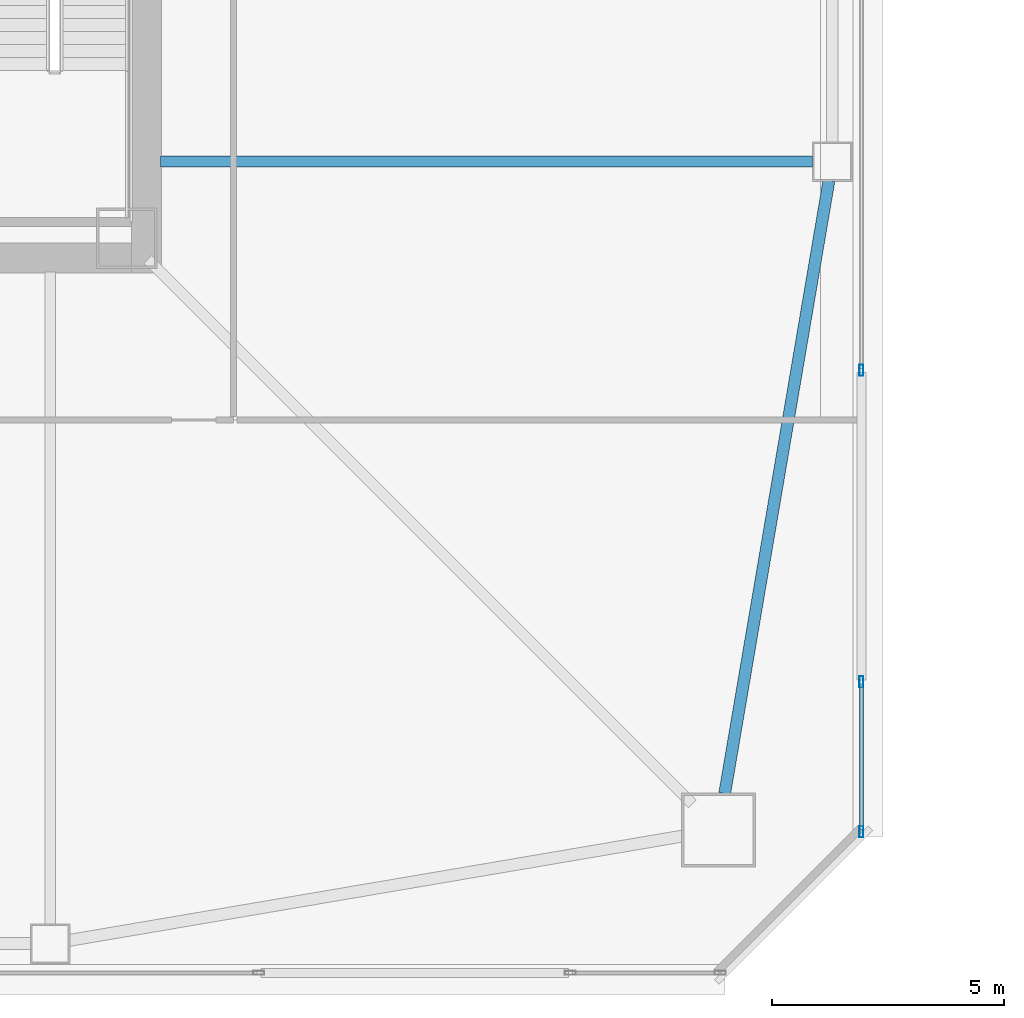
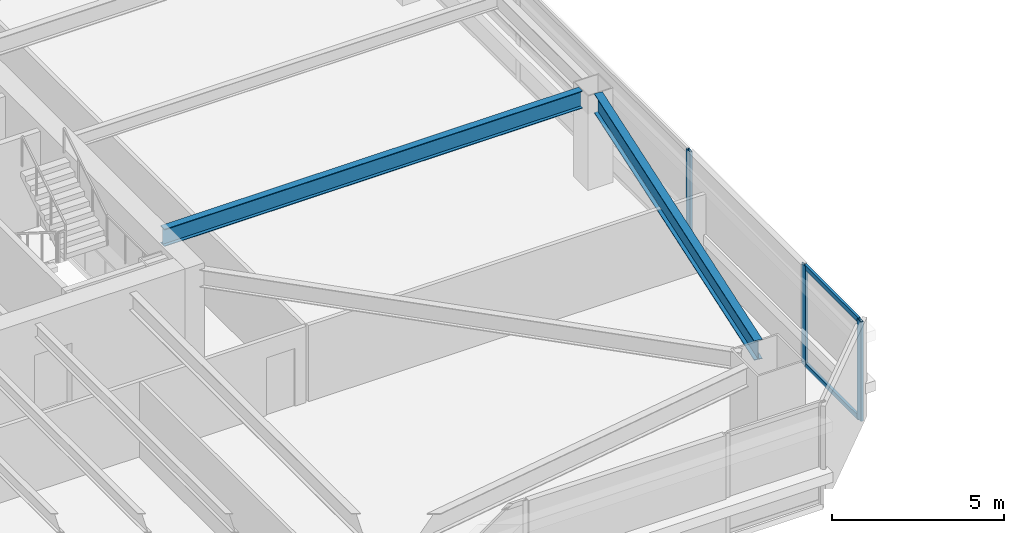
# One storey, part 10 of 48: 5 members, 2 beams, 2 elements without a shape of their own.
"""IFC4 building model written with IfcOpenShell, lengths in metres."""

import ifcopenshell
import ifcopenshell.guid

model = None  # the IFC model being written
_history = None  # IfcOwnerHistory: only IFC2X3 demands one
_inside = {}  # id of a spatial element -> (the spatial element, [elements in it])
_under = {}  # id of a project, library or spatial element -> (it, [spatial elements below it])
_declared = {}  # id of a project -> (the project, [libraries it declares])
_typed = {}  # id of a type object -> (the type object, [elements of that type])
_made_of = {}  # id of a material, layer set ... -> (it, [elements and type objects made of it])


def new_model(schema):
    """Start an empty IFC model of exactly this schema.

    Asked for "IFC4X3", IfcOpenShell would pick the latest addendum, in which some entities
    have other attributes; the version numbers below select the first issue.
    IFC2X3 requires an IfcOwnerHistory on every rooted entity: one is made here for all.
    """
    global model, _history
    if schema == "IFC4X3":
        model = ifcopenshell.file(schema_version=(4, 3, 0, 0))
    else:
        model = ifcopenshell.file(schema=schema)
    _inside.clear()
    _under.clear()
    _declared.clear()
    _typed.clear()
    _made_of.clear()
    _history = None
    if model.schema == "IFC2X3":
        org = make("IfcOrganization", Name="unknown")
        user = make(
            "IfcPersonAndOrganization",
            ThePerson=make("IfcPerson", FamilyName="unknown"),
            TheOrganization=org,
        )
        app = make(
            "IfcApplication",
            ApplicationDeveloper=org,
            Version="unknown",
            ApplicationFullName="unknown",
            ApplicationIdentifier="unknown",
        )
        _history = make(
            "IfcOwnerHistory",
            OwningUser=user,
            OwningApplication=app,
            ChangeAction="ADDED",
            CreationDate=0,
        )
    return model


def make(cls, **values):
    """One entity of the class cls with the attributes given. An attribute that is None is left unset."""
    return model.create_entity(
        cls, **{name: value for name, value in values.items() if value is not None}
    )


def rooted(cls, **values):
    """An entity with a GlobalId (a new one), such as an element, a storey or a relation."""
    return make(cls, GlobalId=ifcopenshell.guid.new(), OwnerHistory=_history, **values)


def si_unit(unit_type, name, prefix=None):
    """IfcSIUnit, for example si_unit("LENGTHUNIT", "METRE", prefix="MILLI")."""
    return make("IfcSIUnit", UnitType=unit_type, Prefix=prefix, Name=name)


def assignment(units):
    """IfcUnitAssignment: the units of a project."""
    return None if units is None else make("IfcUnitAssignment", Units=units)


def point(xyz):
    """IfcCartesianPoint."""
    return None if xyz is None else make("IfcCartesianPoint", Coordinates=xyz)


def direction(xyz):
    """IfcDirection."""
    return None if xyz is None else make("IfcDirection", DirectionRatios=xyz)


def frame(location, z_axis=None, x_axis=None):
    """IfcAxis2Placement3D, a coordinate frame: its origin and axes. An axis left out is left unset."""
    return make(
        "IfcAxis2Placement3D",
        Location=point(location),
        Axis=direction(z_axis),
        RefDirection=direction(x_axis),
    )


def frame_2d(location, x_axis=None):
    """IfcAxis2Placement2D, a coordinate frame in the plane: its origin and x axis."""
    return make(
        "IfcAxis2Placement2D", Location=point(location), RefDirection=direction(x_axis)
    )


def origin():
    """The frame at (0, 0, 0) with its axes left unset."""
    return frame((0.0, 0.0, 0.0))


def origin_2d():
    """The frame at (0, 0) in the plane with its x axis left unset."""
    return frame_2d((0.0, 0.0))


def place(relative_to, where):
    """IfcLocalPlacement: puts the frame where relative to a parent placement (None: the world)."""
    return make(
        "IfcLocalPlacement", PlacementRelTo=relative_to, RelativePlacement=where
    )


def context(
    kind, dimensions, precision=None, world=None, true_north=None, identifier=None
):
    """IfcGeometricRepresentationContext, for example the 3D "Model" context."""
    return make(
        "IfcGeometricRepresentationContext",
        ContextIdentifier=identifier,
        ContextType=kind,
        CoordinateSpaceDimension=dimensions,
        Precision=precision,
        WorldCoordinateSystem=world,
        TrueNorth=true_north,
    )


def subcontext(parent, identifier, kind, view, scale=None):
    """IfcGeometricRepresentationSubContext, for example "Body" below "Model"."""
    return make(
        "IfcGeometricRepresentationSubContext",
        ContextIdentifier=identifier,
        ContextType=kind,
        ParentContext=parent,
        TargetScale=scale,
        TargetView=view,
    )


def project(units=None, contexts=None):
    """IfcProject with its units and contexts."""
    return rooted(
        "IfcProject",
        Name="project",
        RepresentationContexts=contexts,
        UnitsInContext=assignment(units),
    )


def spatial(cls, under=None, at=None, **own):
    """A site, building, storey or space (cls), placed at a placement, below another one or the project."""
    s = rooted(cls, ObjectPlacement=at, **own)
    if under is not None:
        _under.setdefault(under.id(), (under, []))[1].append(s)
    return s


def profile(cls, at=None, kind="AREA", **sizes):
    """A parametric profile (cls). Its sizes go by their IFC names, for example OverallWidth=200.0."""
    return make(cls, ProfileType=kind, Position=at, **sizes)


def hollow_rectangle(**sizes):
    """IfcRectangleHollowProfileDef."""
    return profile("IfcRectangleHollowProfileDef", **sizes)


def i_section(**sizes):
    """IfcIShapeProfileDef."""
    return profile("IfcIShapeProfileDef", **sizes)


def extrude(swept, where, along, depth):
    """IfcExtrudedAreaSolid: the profile swept, set in the frame where, extruded along a direction by depth."""
    return make(
        "IfcExtrudedAreaSolid",
        SweptArea=swept,
        Position=where,
        ExtrudedDirection=direction(along),
        Depth=depth,
    )


def shape(context_of_items, identifier, shape_type, items):
    """IfcShapeRepresentation: the items that make up one representation, for example the "Body"."""
    return make(
        "IfcShapeRepresentation",
        ContextOfItems=context_of_items,
        RepresentationIdentifier=identifier,
        RepresentationType=shape_type,
        Items=items,
    )


def material(Name=None, Category=None):
    """IfcMaterial."""
    return make("IfcMaterial", Name=Name, Category=Category)


def material_profile(
    of_material, cross_section, Name=None, Category=None, Priority=None
):
    """IfcMaterialProfile: a cross section and its material."""
    return make(
        "IfcMaterialProfile",
        Name=Name,
        Material=of_material,
        Profile=cross_section,
        Priority=Priority,
        Category=Category,
    )


def profile_set(profiles, Name=None, composite=None):
    """IfcMaterialProfileSet."""
    return make(
        "IfcMaterialProfileSet",
        Name=Name,
        MaterialProfiles=profiles,
        CompositeProfile=composite,
    )


def made_of(thing, what):
    """Note that an element or type object is made of a material, layer set ...; save() writes the relation."""
    if what is not None:
        _made_of.setdefault(what.id(), (what, []))[1].append(thing)
    return thing


def type_object(cls, material=None, **own):
    """A type object (cls), such as IfcWallType, which elements share."""
    return made_of(rooted(cls, **own), material)


def element(
    cls,
    number,
    at=None,
    inside=None,
    cuts=None,
    type_object=None,
    material=None,
    context=None,
    identifier="Body",
    shape_type=None,
    held_by="IfcProductDefinitionShape",
    body=None,
    shapes=None,
    **own,
):
    """One element of the class cls, such as IfcWall. Its Tag is "e" and its number.

    at: its placement. inside: the storey or other place that contains it. cuts: it is an
    opening in that element (IfcRelVoidsElement). A single representation is given by context,
    identifier, shape_type and body (its items); several are given by shapes. held_by: the class
    of the entity that holds the representations. save() writes the other relations.
    """
    e = rooted(cls, Tag="e%d" % number, ObjectPlacement=at, **own)
    if body is not None:
        shapes = [shape(context, identifier, shape_type, body)]
    if shapes is not None:
        e.Representation = make(held_by, Representations=shapes)
    if inside is not None:
        _inside.setdefault(inside.id(), (inside, []))[1].append(e)
    if cuts is not None:
        rooted(
            "IfcRelVoidsElement", RelatingBuildingElement=cuts, RelatedOpeningElement=e
        )
    if type_object is not None:
        _typed.setdefault(type_object.id(), (type_object, []))[1].append(e)
    return made_of(e, material)


def aggregate(whole, parts):
    """IfcRelAggregates: a whole, such as a stair, and the parts it consists of."""
    return rooted("IfcRelAggregates", RelatingObject=whole, RelatedObjects=parts)


def save(model, path):
    """Write the relations noted so far, then the file.

    IfcRelAggregates (storeys below a building ...), IfcRelContainedInSpatialStructure (elements
    in a storey), IfcRelDefinesByType, IfcRelAssociatesMaterial and IfcRelDeclares: one each for
    every whole, place, type object, material and project.
    """
    for whole, parts in _under.values():
        aggregate(whole, parts)
    for where, things in _inside.values():
        rooted(
            "IfcRelContainedInSpatialStructure",
            RelatedElements=things,
            RelatingStructure=where,
        )
    for kind, things in _typed.values():
        rooted("IfcRelDefinesByType", RelatedObjects=things, RelatingType=kind)
    for what, things in _made_of.values():
        rooted("IfcRelAssociatesMaterial", RelatedObjects=things, RelatingMaterial=what)
    for by, libraries in _declared.values():
        rooted("IfcRelDeclares", RelatingContext=by, RelatedDefinitions=libraries)
    model.write(path)


model = new_model("IFC4")

# Units and contexts
model_context = context("Model", 3, precision=1e-05, world=origin(), true_north=direction((0.0, 1.0)))
body_context = subcontext(model_context, "Body", "Model", "MODEL_VIEW")
ifc_project = project(units=[si_unit("LENGTHUNIT", "METRE"), si_unit("AREAUNIT", "SQUARE_METRE"), si_unit("VOLUMEUNIT", "CUBIC_METRE"), si_unit("PLANEANGLEUNIT", "RADIAN"), si_unit("MASSUNIT", "GRAM", prefix="KILO")], contexts=[model_context])

# Site, building, storey
site_placement = place(None, origin())
site = spatial("IfcSite", under=ifc_project, at=site_placement, CompositionType="ELEMENT")
building_placement = place(site_placement, origin())
building = spatial("IfcBuilding", under=site, at=building_placement, Name="Tashvorn Skyway Center", CompositionType="ELEMENT")
storey_placement = place(building_placement, frame((0.0, 0.0, 53.0)))
storey = spatial("IfcBuildingStorey", under=building, at=storey_placement, Name="L13", CompositionType="ELEMENT", Elevation=53.0)

# Beams
ifc_material_1 = material(Name="Steel ASTM A992 Grade 50", Category="steel")
ifc_material_profile_1 = material_profile(ifc_material_1, i_section(OverallWidth=0.22998046875, OverallDepth=0.616943359375, WebThickness=0.01318359375, FlangeThickness=0.022216796875, at=origin_2d()), Name="W24X94")
ifc_profile_set_1 = profile_set([ifc_material_profile_1], Name="Steel ASTM A992 Grade 50")
beam_type_1 = type_object("IfcBeamType", Name="BM-BEAM-W24X94", PredefinedType="BEAM", material=ifc_profile_set_1)
beam_1_placement = place(storey_placement, frame((63.830078125, 26.60009765625, 3.04150390625), z_axis=(-1.0, 0.0, 0.0), x_axis=(0.0, -1.0, 0.0)))
element("IfcBeam", 1, at=beam_1_placement, inside=storey, type_object=beam_type_1, Name="Tower 1 L13 Primary Floor Girder FC-E1", PredefinedType="BEAM", context=body_context, shape_type="SweptSolid", body=[
    extrude(i_section(OverallWidth=0.22998046875, OverallDepth=0.616943359375, WebThickness=0.01318359375, FlangeThickness=0.022216796875, at=origin_2d()), origin(), (0.0, 0.0, 1.0), 14.050048828125),
])
ifc_material_profile_2 = material_profile(ifc_material_1, i_section(OverallWidth=0.256103515625, OverallDepth=0.693115234375, WebThickness=0.014404296875, FlangeThickness=0.023681640625, at=origin_2d()), Name="W27X114")
ifc_profile_set_2 = profile_set([ifc_material_profile_2], Name="Steel ASTM A992 Grade 50")
beam_type_2 = type_object("IfcBeamType", Name="BM-SPANDREL-W27X114", PredefinedType="SPANDREL", material=ifc_profile_set_2)
beam_2_placement = place(storey_placement, frame((61.933349609375, 12.983642578125, 3.00341796875), z_axis=(0.16771792509, 0.985835025551, 0.0), x_axis=(-0.985835025551, 0.16771792509, 0.0)))
element("IfcBeam", 2, at=beam_2_placement, inside=storey, type_object=beam_type_2, Name="Tower 1 L13 Spandrel Beam 04", PredefinedType="SPANDREL", context=body_context, shape_type="SweptSolid", body=[
    extrude(i_section(OverallWidth=0.256103515625, OverallDepth=0.693115234375, WebThickness=0.014404296875, FlangeThickness=0.023681640625, at=origin_2d()), origin(), (0.0, 0.0, 1.0), 13.39208984375),
])

# Curtain wall, member
ifc_material_2 = material(Name="Thermally broken bronze-anodized aluminium 6063-T6", Category="aluminium")
curtain_wall_type = type_object("IfcCurtainWallType", Name="CW-CW-Z1", PredefinedType="NOTDEFINED", material=ifc_material_2)
curtain_wall_1_placement = place(storey_placement, origin())
curtain_wall_1 = element("IfcCurtainWall", 3, at=curtain_wall_1_placement, inside=storey, type_object=curtain_wall_type, Name="Tower 1 L13 East Unitised Curtain Wall Glazing Group 2", PredefinedType="NOTDEFINED")
ifc_material_profile_3 = material_profile(ifc_material_2, hollow_rectangle(XDim=0.0849609375, YDim=0.239990234375, WallThickness=0.0048828125, at=origin_2d()), Name="ALU-MULL-85x240")
ifc_profile_set_3 = profile_set([ifc_material_profile_3], Name="Thermally broken bronze-anodized aluminium 6063-T6")
member_type_1 = type_object("IfcMemberType", Name="CWM-CW-Z1", PredefinedType="MULLION", material=ifc_profile_set_3)
member_1_placement = place(storey_placement, frame((64.8798828125, 22.1025390625, 0.0), z_axis=(0.0, 0.0, 1.0), x_axis=(1.0, 0.0, 0.0)))
member_1 = element("IfcMember", 4, at=member_1_placement, type_object=member_type_1, Name="CW-Z1 mullion 3", PredefinedType="MULLION", context=body_context, shape_type="SweptSolid", body=[
    extrude(hollow_rectangle(XDim=0.0849609375, YDim=0.239990234375, WallThickness=0.0048828125, at=origin_2d()), origin(), (0.0, 0.0, 1.0), 3.550048828125),
])
aggregate(curtain_wall_1, [member_1])

# Curtain wall, members
curtain_wall_2_placement = place(storey_placement, origin())
curtain_wall_2 = element("IfcCurtainWall", 5, at=curtain_wall_2_placement, inside=storey, type_object=curtain_wall_type, Name="Tower 1 L13 East Unitised Curtain Wall Glazing Group 3", PredefinedType="NOTDEFINED")
member_2_placement = place(storey_placement, frame((64.8798828125, 15.390869140625, 0.0), z_axis=(0.0, 0.0, 1.0), x_axis=(1.0, 0.0, 0.0)))
member_2 = element("IfcMember", 6, at=member_2_placement, type_object=member_type_1, Name="CW-Z1 mullion 1", PredefinedType="MULLION", context=body_context, shape_type="SweptSolid", body=[
    extrude(hollow_rectangle(XDim=0.0849609375, YDim=0.239990234375, WallThickness=0.0048828125, at=origin_2d()), origin(), (0.0, 0.0, 1.0), 3.550048828125),
])
member_3_placement = place(storey_placement, frame((64.8798828125, 12.16259765625, 0.0), z_axis=(0.0, 0.0, 1.0), x_axis=(1.0, 0.0, 0.0)))
member_3 = element("IfcMember", 7, at=member_3_placement, type_object=member_type_1, Name="CW-Z1 mullion 2", PredefinedType="MULLION", context=body_context, shape_type="SweptSolid", body=[
    extrude(hollow_rectangle(XDim=0.0849609375, YDim=0.239990234375, WallThickness=0.0048828125, at=origin_2d()), origin(), (0.0, 0.0, 1.0), 3.550048828125),
])
ifc_material_profile_4 = material_profile(ifc_material_2, hollow_rectangle(XDim=0.0849609375, YDim=0.1650390625, WallThickness=0.0048828125, at=origin_2d()), Name="ALU-TRAN-85x165")
ifc_profile_set_4 = profile_set([ifc_material_profile_4], Name="Thermally broken bronze-anodized aluminium 6063-T6")
member_type_2 = type_object("IfcMemberType", Name="CWT-CW-Z1", PredefinedType="USERDEFINED", material=ifc_profile_set_4)
member_4_placement = place(storey_placement, frame((64.8798828125, 15.348388671875, 0.04248046875), z_axis=(0.0, -1.0, 0.0), x_axis=(1.0, 0.0, 0.0)))
member_4 = element("IfcMember", 8, at=member_4_placement, type_object=member_type_2, Name="CW-Z1 transom 1.1", ObjectType="TRANSOM", PredefinedType="USERDEFINED", context=body_context, shape_type="SweptSolid", body=[
    extrude(hollow_rectangle(XDim=0.0849609375, YDim=0.1650390625, WallThickness=0.0048828125, at=origin_2d()), origin(), (0.0, 0.0, 1.0), 3.143310546875),
])
member_5_placement = place(storey_placement, frame((64.8798828125, 15.348388671875, 3.507568359375), z_axis=(0.0, -1.0, 0.0), x_axis=(1.0, 0.0, 0.0)))
member_5 = element("IfcMember", 9, at=member_5_placement, type_object=member_type_2, Name="CW-Z1 transom 1.2", ObjectType="TRANSOM", PredefinedType="USERDEFINED", context=body_context, shape_type="SweptSolid", body=[
    extrude(hollow_rectangle(XDim=0.0849609375, YDim=0.1650390625, WallThickness=0.0048828125, at=origin_2d()), origin(), (0.0, 0.0, 1.0), 3.143310546875),
])
aggregate(curtain_wall_2, [member_2, member_3, member_4, member_5])

save(model, "model.ifc")
